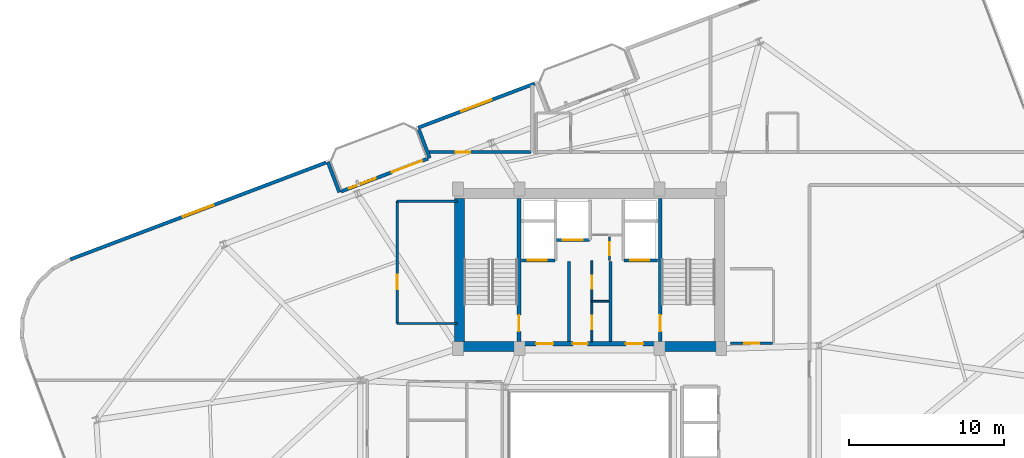
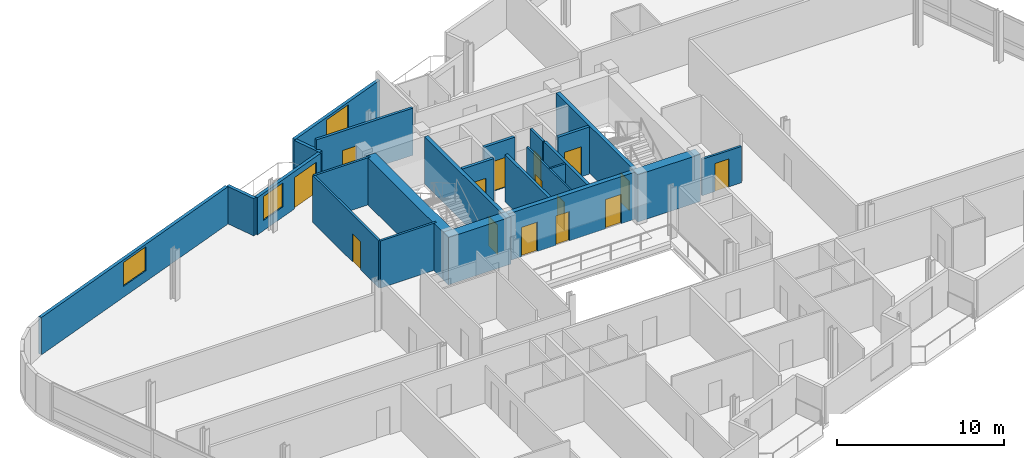
# One storey, part 16 of 20: 24 walls, 15 doors, 3 windows, 18 openings.
"""IFC4 building model written with IfcOpenShell, lengths in metres."""

from ifc_helpers import new_model, si_unit, direction, frame, frame_2d, origin, place, context, subcontext, project, spatial, rectangle, extrude, material, layer, layer_set, type_object, element, fill, save


model = new_model("IFC4")

# Units and contexts
model_context = context("Model", 3, precision=1e-05, world=origin(), true_north=direction((0.0, 1.0)))
body_context = subcontext(model_context, "Body", "Model", "MODEL_VIEW")
ifc_project = project(units=[si_unit("LENGTHUNIT", "METRE"), si_unit("AREAUNIT", "SQUARE_METRE"), si_unit("VOLUMEUNIT", "CUBIC_METRE"), si_unit("PLANEANGLEUNIT", "RADIAN"), si_unit("MASSUNIT", "GRAM", prefix="KILO")], contexts=[model_context])

# Site, building, storey
site_placement = place(None, origin())
site = spatial("IfcSite", under=ifc_project, at=site_placement, CompositionType="ELEMENT")
building_placement = place(site_placement, origin())
building = spatial("IfcBuilding", under=site, at=building_placement, Name="Varnelok Gate Tower", CompositionType="ELEMENT")
storey_placement = place(building_placement, frame((0.0, 0.0, 216.39990234375)))
storey = spatial("IfcBuildingStorey", under=building, at=storey_placement, Name="L55", CompositionType="ELEMENT", Elevation=216.39990234375)

# Wall, openings, door, window
ifc_material_1 = material(Name="Concrete C45/55", Category="concrete")
ifc_layer_1 = layer(ifc_material_1, 0.219970703125)
ifc_layer_set_1 = layer_set([ifc_layer_1], Name="Concrete C45/55")
wall_type_1 = type_object("IfcWallType", Name="EW-BALC-220", PredefinedType="SOLIDWALL", material=ifc_layer_set_1)
wall_1_placement = place(storey_placement, frame((23.1494140625, 38.88720703125, 0.0), z_axis=(0.0, 0.0, 1.0), x_axis=(0.9352192676, 0.354069091436, 0.0)))
wall_1 = element("IfcWall", 1, at=wall_1_placement, inside=storey, type_object=wall_type_1, Name="L55 North Terrace Envelope Wall 3", PredefinedType="SOLIDWALL", context=body_context, shape_type="SweptSolid", body=[
    extrude(rectangle(XDim=6.000244140625, YDim=0.219970703125, at=frame_2d((3.0, 0.0))), origin(), (0.0, 0.0, 1.0), 2.72998046875),
])
opening_1_placement = place(wall_1_placement, frame((3.5, 0.0, 0.0)))
opening_1 = element("IfcOpeningElement", 2, at=opening_1_placement, cuts=wall_1, Name="Opening BD-2", PredefinedType="OPENING", context=body_context, shape_type="SweptSolid", body=[
    extrude(rectangle(XDim=2.10009765625, YDim=2.300048828125, at=frame_2d((1.050048828125, 1.14990234375))), frame((0.0, 0.119873046875, 0.0), z_axis=(0.0, -1.0, 0.0), x_axis=(1.0, 0.0, 0.0)), (0.0, 0.0, 1.0), 0.239990234375),
])
opening_2_placement = place(wall_1_placement, frame((0.550048828125, 0.0, 0.75)))
opening_2 = element("IfcOpeningElement", 3, at=opening_2_placement, cuts=wall_1, Name="Opening WN5", PredefinedType="OPENING", context=body_context, shape_type="SweptSolid", body=[
    extrude(rectangle(XDim=1.85009765625, YDim=1.75, at=frame_2d((0.925048828125, 0.875))), frame((0.0, 0.119873046875, 0.0), z_axis=(0.0, -1.0, 0.0), x_axis=(1.0, 0.0, 0.0)), (0.0, 0.0, 1.0), 0.239990234375),
])
ifc_material_2 = material(Name="Anodized Aluminum Alloy 6063-T6", Category="aluminium")
door_type_1 = type_object("IfcDoorType", Name="DR-EXT-SLID2100", OperationType="SLIDING_TO_LEFT", PredefinedType="DOOR", material=ifc_material_2)
door_1_placement = place(opening_1_placement, origin())
door_1 = element("IfcDoor", 4, at=door_1_placement, inside=storey, type_object=door_type_1, Name="L55 North Balcony Glazed Door 3", OperationType="SLIDING_TO_LEFT", OverallHeight=2.300048828125, OverallWidth=2.10009765625, PredefinedType="DOOR", context=body_context, shape_type="SweptSolid", body=[
    extrude(rectangle(XDim=2.10009765625, YDim=2.300048828125, at=frame_2d((1.050048828125, 1.14990234375))), frame((0.0, 0.02490234375, 0.0), z_axis=(0.0, -1.0, 0.0), x_axis=(1.0, 0.0, 0.0)), (0.0, 0.0, 1.0), 0.050048828125),
])
fill(opening_1, door_1)
ifc_material_3 = material(Name="Low-E Laminated Double Glazing IGU", Category="glass")
window_type_1 = type_object("IfcWindowType", Name="WN-RES-1850", PartitioningType="SINGLE_PANEL", PredefinedType="WINDOW", material=ifc_material_3)
window_1_placement = place(opening_2_placement, origin())
window_1 = element("IfcWindow", 5, at=window_1_placement, inside=storey, type_object=window_type_1, Name="L55 North Vision Window 3.1", OverallHeight=1.75, OverallWidth=1.85009765625, PartitioningType="SINGLE_PANEL", PredefinedType="WINDOW", context=body_context, shape_type="SweptSolid", body=[
    extrude(rectangle(XDim=1.85009765625, YDim=1.75, at=frame_2d((0.925048828125, 0.875))), frame((0.0, 0.030029296875, 0.0), z_axis=(0.0, -1.0, 0.0), x_axis=(1.0, 0.0, 0.0)), (0.0, 0.0, 1.0), 0.06005859375),
])
fill(opening_2, window_1)

# Wall, opening, window
wall_2_placement = place(storey_placement, frame((35.647705078125, 45.853515625, 0.0), z_axis=(0.0, 0.0, 1.0), x_axis=(-0.935230796934, -0.354038636968, 0.0)))
wall_2 = element("IfcWall", 6, at=wall_2_placement, inside=storey, type_object=wall_type_1, Name="L55 Perimeter Facade Closure Wall 29", PredefinedType="SOLIDWALL", context=body_context, shape_type="SweptSolid", body=[
    extrude(rectangle(XDim=8.03515625, YDim=0.219970703125, at=frame_2d((4.017578125, 0.0))), origin(), (0.0, 0.0, 1.0), 2.72998046875),
])
opening_3_placement = place(wall_2_placement, frame((2.967529296875, 0.0, 0.800048828125)))
opening_3 = element("IfcOpeningElement", 7, at=opening_3_placement, cuts=wall_2, Name="Opening WN4", PredefinedType="OPENING", context=body_context, shape_type="SweptSolid", body=[
    extrude(rectangle(XDim=2.10009765625, YDim=1.75, at=frame_2d((1.050048828125, 0.875))), frame((0.0, 0.119873046875, 0.0), z_axis=(0.0, -1.0, 0.0), x_axis=(1.0, 0.0, 0.0)), (0.0, 0.0, 1.0), 0.239990234375),
])
window_type_2 = type_object("IfcWindowType", Name="WN-SUI-2100", PartitioningType="SINGLE_PANEL", PredefinedType="WINDOW", material=ifc_material_3)
window_2_placement = place(opening_3_placement, origin())
window_2 = element("IfcWindow", 8, at=window_2_placement, inside=storey, type_object=window_type_2, Name="L55 Perimeter Vision Window 29", OverallHeight=1.75, OverallWidth=2.10009765625, PartitioningType="SINGLE_PANEL", PredefinedType="WINDOW", context=body_context, shape_type="SweptSolid", body=[
    extrude(rectangle(XDim=2.10009765625, YDim=1.75, at=frame_2d((1.050048828125, 0.875))), frame((0.0, 0.030029296875, 0.0), z_axis=(0.0, -1.0, 0.0), x_axis=(1.0, 0.0, 0.0)), (0.0, 0.0, 1.0), 0.06005859375),
])
fill(opening_3, window_2)

# Walls
wall_3_placement = place(storey_placement, frame((28.177490234375, 42.891845703125, 0.0), z_axis=(0.0, 0.0, 1.0), x_axis=(0.354061611705, -0.935222099352, 0.0)))
element("IfcWall", 9, at=wall_3_placement, inside=storey, type_object=wall_type_1, Name="L55 Perimeter Facade Closure Wall 30", PredefinedType="SOLIDWALL", context=body_context, shape_type="SweptSolid", body=[
    extrude(rectangle(XDim=1.974853515625, YDim=0.219970703125, at=frame_2d((0.9873046875, 0.0))), origin(), (0.0, 0.0, 1.0), 2.72998046875),
])
wall_4_placement = place(storey_placement, frame((23.041015625, 38.83544921875, 0.0), z_axis=(0.0, 0.0, 1.0), x_axis=(-0.354128469405, 0.935196785258, 0.0)))
element("IfcWall", 10, at=wall_4_placement, inside=storey, type_object=wall_type_1, Name="L55 Perimeter Facade Closure Wall 31", PredefinedType="SOLIDWALL", context=body_context, shape_type="SweptSolid", body=[
    extrude(rectangle(XDim=2.099853515625, YDim=0.219970703125, at=frame_2d((1.0498046875, 0.0))), origin(), (0.0, 0.0, 1.0), 2.72998046875),
])

# Wall, opening, window
wall_5_placement = place(storey_placement, frame((22.180419921875, 40.755126953125, 0.0), z_axis=(0.0, 0.0, 1.0), x_axis=(-0.935223867561, -0.354056941104, 0.0)))
wall_5 = element("IfcWall", 11, at=wall_5_placement, inside=storey, type_object=wall_type_1, Name="L55 Perimeter Facade Closure Wall 32", PredefinedType="SOLIDWALL", context=body_context, shape_type="SweptSolid", body=[
    extrude(rectangle(XDim=17.64697265625, YDim=0.219970703125, at=frame_2d((8.823486328125, 0.0))), origin(), (0.0, 0.0, 1.0), 2.72998046875),
])
opening_4_placement = place(wall_5_placement, frame((7.773681640625, 0.0, 0.800048828125)))
opening_4 = element("IfcOpeningElement", 12, at=opening_4_placement, cuts=wall_5, Name="Opening WN4", PredefinedType="OPENING", context=body_context, shape_type="SweptSolid", body=[
    extrude(rectangle(XDim=2.10009765625, YDim=1.75, at=frame_2d((1.050048828125, 0.875))), frame((0.0, 0.119873046875, 0.0), z_axis=(0.0, -1.0, 0.0), x_axis=(1.0, 0.0, 0.0)), (0.0, 0.0, 1.0), 0.239990234375),
])
window_3_placement = place(opening_4_placement, origin())
window_3 = element("IfcWindow", 13, at=window_3_placement, inside=storey, type_object=window_type_2, Name="L55 Perimeter Vision Window 32", OverallHeight=1.75, OverallWidth=2.10009765625, PartitioningType="SINGLE_PANEL", PredefinedType="WINDOW", context=body_context, shape_type="SweptSolid", body=[
    extrude(rectangle(XDim=2.10009765625, YDim=1.75, at=frame_2d((1.050048828125, 0.875))), frame((0.0, 0.030029296875, 0.0), z_axis=(0.0, -1.0, 0.0), x_axis=(1.0, 0.0, 0.0)), (0.0, 0.0, 1.0), 0.06005859375),
])
fill(opening_4, window_3)

# Wall, opening, door
ifc_material_4 = material(Name="Gypsum Plasterboard Acoustic Partition", Category="gypsum")
ifc_layer_2 = layer(ifc_material_4, 0.179931640625)
ifc_layer_set_2 = layer_set([ifc_layer_2], Name="Gypsum Plasterboard Acoustic Partition")
wall_type_2 = type_object("IfcWallType", Name="PW-CORR-180", PredefinedType="PARTITIONING", material=ifc_layer_set_2)
wall_6_placement = place(storey_placement, frame((28.752197265625, 41.429931640625, 0.0), z_axis=(0.0, 0.0, 1.0), x_axis=(1.0, 0.0, 0.0)))
wall_6 = element("IfcWall", 14, at=wall_6_placement, inside=storey, type_object=wall_type_2, Name="Interior Partition", PredefinedType="PARTITIONING", context=body_context, shape_type="SweptSolid", body=[
    extrude(rectangle(XDim=6.667724609375, YDim=0.179931640625, at=frame_2d((3.333984375, 0.0))), origin(), (0.0, 0.0, 1.0), 3.4501953125),
])
opening_5_placement = place(wall_6_placement, frame((1.80322265625, 0.0, 0.0)))
opening_5 = element("IfcOpeningElement", 15, at=opening_5_placement, cuts=wall_6, Name="Opening D-I2", PredefinedType="OPENING", context=body_context, shape_type="SweptSolid", body=[
    extrude(rectangle(XDim=0.949951171875, YDim=2.050048828125, at=frame_2d((0.47509765625, 1.02490234375))), frame((0.0, 0.099853515625, 0.0), z_axis=(0.0, -1.0, 0.0), x_axis=(1.0, 0.0, 0.0)), (0.0, 0.0, 1.0), 0.199951171875),
])
ifc_material_5 = material(Name="Engineered Hardwood Timber", Category="wood")
door_type_2 = type_object("IfcDoorType", Name="DR-INT-950", OperationType="NOTDEFINED", PredefinedType="DOOR", material=ifc_material_5)
door_2_placement = place(opening_5_placement, origin())
door_2 = element("IfcDoor", 16, at=door_2_placement, inside=storey, type_object=door_type_2, Name="L55 Sky Library Door", OperationType="SINGLE_SWING_LEFT", OverallHeight=2.050048828125, OverallWidth=0.949951171875, PredefinedType="DOOR", context=body_context, shape_type="SweptSolid", body=[
    extrude(rectangle(XDim=0.949951171875, YDim=2.050048828125, at=frame_2d((0.47509765625, 1.02490234375))), frame((0.0, 0.02490234375, 0.0), z_axis=(0.0, -1.0, 0.0), x_axis=(1.0, 0.0, 0.0)), (0.0, 0.0, 1.0), 0.050048828125),
])
fill(opening_5, door_2)

# Wall
ifc_layer_3 = layer(ifc_material_4, 0.125)
ifc_layer_set_3 = layer_set([ifc_layer_3], Name="Gypsum Plasterboard Acoustic Partition")
wall_type_3 = type_object("IfcWallType", Name="PW-PART-125", PredefinedType="PARTITIONING", material=ifc_layer_set_3)
wall_7_placement = place(storey_placement, frame((39.35009765625, 31.800048828125, 0.0), z_axis=(0.0, 0.0, 1.0), x_axis=(1.0, 0.0, 0.0)))
element("IfcWall", 17, at=wall_7_placement, inside=storey, type_object=wall_type_3, Name="Interior Partition", PredefinedType="PARTITIONING", context=body_context, shape_type="SweptSolid", body=[
    extrude(rectangle(XDim=1.08984375, YDim=0.125, at=frame_2d((0.544921875, 0.0))), origin(), (0.0, 0.0, 1.0), 3.4501953125),
])

# Wall, openings, doors
wall_8_placement = place(storey_placement, frame((39.35009765625, 29.199951171875, 0.0), z_axis=(0.0, 0.0, 1.0), x_axis=(0.0, 1.0, 0.0)))
wall_8 = element("IfcWall", 18, at=wall_8_placement, inside=storey, type_object=wall_type_3, Name="Interior Partition", PredefinedType="PARTITIONING", context=body_context, shape_type="SweptSolid", body=[
    extrude(rectangle(XDim=5.219970703125, YDim=0.125, at=frame_2d((2.60986328125, 0.0))), origin(), (0.0, 0.0, 1.0), 3.4501953125),
])
opening_6_placement = place(wall_8_placement, frame((0.800048828125, 0.0, 0.0)))
opening_6 = element("IfcOpeningElement", 19, at=opening_6_placement, cuts=wall_8, Name="Opening D-RS", PredefinedType="OPENING", context=body_context, shape_type="SweptSolid", body=[
    extrude(rectangle(XDim=0.85009765625, YDim=2.050048828125, at=frame_2d((0.425048828125, 1.02490234375))), frame((0.0, 0.072509765625, 0.0), z_axis=(0.0, -1.0, 0.0), x_axis=(1.0, 0.0, 0.0)), (0.0, 0.0, 1.0), 0.14501953125),
])
opening_7_placement = place(wall_8_placement, frame((3.39990234375, 0.0, 0.0)))
opening_7 = element("IfcOpeningElement", 20, at=opening_7_placement, cuts=wall_8, Name="Opening D-RS", PredefinedType="OPENING", context=body_context, shape_type="SweptSolid", body=[
    extrude(rectangle(XDim=0.85009765625, YDim=2.050048828125, at=frame_2d((0.425048828125, 1.02490234375))), frame((0.0, 0.072509765625, 0.0), z_axis=(0.0, -1.0, 0.0), x_axis=(1.0, 0.0, 0.0)), (0.0, 0.0, 1.0), 0.14501953125),
])
ifc_material_6 = material(Name="Galvanized Steel Grade S350GD", Category="steel")
door_type_3 = type_object("IfcDoorType", Name="DR-RISER-850", OperationType="NOTDEFINED", PredefinedType="DOOR", material=ifc_material_6)
door_3_placement = place(opening_6_placement, origin())
door_3 = element("IfcDoor", 21, at=door_3_placement, inside=storey, type_object=door_type_3, Name="L55 Housekeeping Linen Door", OperationType="SINGLE_SWING_RIGHT", OverallHeight=2.050048828125, OverallWidth=0.85009765625, PredefinedType="DOOR", context=body_context, shape_type="SweptSolid", body=[
    extrude(rectangle(XDim=0.85009765625, YDim=2.050048828125, at=frame_2d((0.425048828125, 1.02490234375))), frame((0.0, 0.02490234375, 0.0), z_axis=(0.0, -1.0, 0.0), x_axis=(1.0, 0.0, 0.0)), (0.0, 0.0, 1.0), 0.050048828125),
])
fill(opening_6, door_3)
door_4_placement = place(opening_7_placement, origin())
door_4 = element("IfcDoor", 22, at=door_4_placement, inside=storey, type_object=door_type_3, Name="L55 Core Supply Door", OperationType="SINGLE_SWING_LEFT", OverallHeight=2.050048828125, OverallWidth=0.85009765625, PredefinedType="DOOR", context=body_context, shape_type="SweptSolid", body=[
    extrude(rectangle(XDim=0.85009765625, YDim=2.050048828125, at=frame_2d((0.425048828125, 1.02490234375))), frame((0.0, 0.02490234375, 0.0), z_axis=(0.0, -1.0, 0.0), x_axis=(1.0, 0.0, 0.0)), (0.0, 0.0, 1.0), 0.050048828125),
])
fill(opening_7, door_4)

# Wall, opening, door
ifc_layer_4 = layer(ifc_material_4, 0.14990234375)
ifc_layer_set_4 = layer_set([ifc_layer_4], Name="Gypsum Plasterboard Acoustic Partition")
wall_type_4 = type_object("IfcWallType", Name="PW-PART-150", PredefinedType="PARTITIONING", material=ifc_layer_set_4)
wall_9_placement = place(storey_placement, frame((40.47998046875, 34.43994140625, 0.0), z_axis=(0.0, 0.0, 1.0), x_axis=(0.0, 1.0, 0.0)))
wall_9 = element("IfcWall", 23, at=wall_9_placement, inside=storey, type_object=wall_type_4, Name="L55 Telecoms Closet West Wall", PredefinedType="PARTITIONING", context=body_context, shape_type="SweptSolid", body=[
    extrude(rectangle(XDim=1.52001953125, YDim=0.14990234375, at=frame_2d((0.760009765625, 0.0))), origin(), (0.0, 0.0, 1.0), 3.4501953125),
])
opening_8_placement = place(wall_9_placement, frame((0.320068359375, 0.0, 0.0)))
opening_8 = element("IfcOpeningElement", 24, at=opening_8_placement, cuts=wall_9, Name="Opening D-RS", PredefinedType="OPENING", context=body_context, shape_type="SweptSolid", body=[
    extrude(rectangle(XDim=0.85009765625, YDim=2.050048828125, at=frame_2d((0.425048828125, 1.02490234375))), frame((0.0, 0.0849609375, 0.0), z_axis=(0.0, -1.0, 0.0), x_axis=(1.0, 0.0, 0.0)), (0.0, 0.0, 1.0), 0.169921875),
])
door_5_placement = place(opening_8_placement, origin())
door_5 = element("IfcDoor", 25, at=door_5_placement, inside=storey, type_object=door_type_3, Name="L55 Telecoms Closet Door", OperationType="SINGLE_SWING_LEFT", OverallHeight=2.050048828125, OverallWidth=0.85009765625, PredefinedType="DOOR", context=body_context, shape_type="SweptSolid", body=[
    extrude(rectangle(XDim=0.85009765625, YDim=2.050048828125, at=frame_2d((0.425048828125, 1.02490234375))), frame((0.0, 0.02490234375, 0.0), z_axis=(0.0, -1.0, 0.0), x_axis=(1.0, 0.0, 0.0)), (0.0, 0.0, 1.0), 0.050048828125),
])
fill(opening_8, door_5)

# Walls
for number, where, z_axis, x_axis, name in (
    (26, (26.780029296875, 30.360107421875, 0.0), (0.0, 0.0, 1.0), (1.0, 0.0, 0.0), "Interior Partition"),
    (27, (26.780029296875, 38.260009765625, 0.0), (0.0, 0.0, 1.0), (1.0, 0.0, 0.0), "Interior Partition"),
):
    element("IfcWall", number, at=place(storey_placement, frame(where, z_axis=z_axis, x_axis=x_axis)), inside=storey, type_object=wall_type_4, Name=name, PredefinedType="PARTITIONING", context=body_context, shape_type="SweptSolid", body=[
        extrude(rectangle(XDim=3.89990234375, YDim=0.14990234375, at=frame_2d((1.949951171875, 0.0))), origin(), (0.0, 0.0, 1.0), 3.4501953125),
    ])

# Wall, opening, door
wall_10_placement = place(storey_placement, frame((26.780029296875, 30.360107421875, 0.0), z_axis=(0.0, 0.0, 1.0), x_axis=(0.0, 1.0, 0.0)))
wall_10 = element("IfcWall", 28, at=wall_10_placement, inside=storey, type_object=wall_type_4, Name="Interior Partition", PredefinedType="PARTITIONING", context=body_context, shape_type="SweptSolid", body=[
    extrude(rectangle(XDim=7.89990234375, YDim=0.14990234375, at=frame_2d((3.949951171875, 0.0))), origin(), (0.0, 0.0, 1.0), 3.4501953125),
])
opening_9_placement = place(wall_10_placement, frame((2.199951171875, 0.0, 0.0)))
opening_9 = element("IfcOpeningElement", 29, at=opening_9_placement, cuts=wall_10, Name="Opening D-I2", PredefinedType="OPENING", context=body_context, shape_type="SweptSolid", body=[
    extrude(rectangle(XDim=0.949951171875, YDim=2.050048828125, at=frame_2d((0.47509765625, 1.02490234375))), frame((0.0, 0.0849609375, 0.0), z_axis=(0.0, -1.0, 0.0), x_axis=(1.0, 0.0, 0.0)), (0.0, 0.0, 1.0), 0.169921875),
])
door_6_placement = place(opening_9_placement, origin())
door_6 = element("IfcDoor", 30, at=door_6_placement, inside=storey, type_object=door_type_2, Name="L55 Core Valet Door", OperationType="SINGLE_SWING_RIGHT", OverallHeight=2.050048828125, OverallWidth=0.949951171875, PredefinedType="DOOR", context=body_context, shape_type="SweptSolid", body=[
    extrude(rectangle(XDim=0.949951171875, YDim=2.050048828125, at=frame_2d((0.47509765625, 1.02490234375))), frame((0.0, 0.02490234375, 0.0), z_axis=(0.0, -1.0, 0.0), x_axis=(1.0, 0.0, 0.0)), (0.0, 0.0, 1.0), 0.050048828125),
])
fill(opening_9, door_6)

wall_11_placement = place(storey_placement, frame((48.300048828125, 29.080078125, 0.0), z_axis=(0.0, 0.0, 1.0), x_axis=(1.0, 0.0, 0.0)))
wall_11 = element("IfcWall", 31, at=wall_11_placement, inside=storey, type_object=wall_type_4, Name="Interior Partition", PredefinedType="PARTITIONING", context=body_context, shape_type="SweptSolid", body=[
    extrude(rectangle(XDim=2.719970703125, YDim=0.14990234375, at=frame_2d((1.35986328125, 0.0))), origin(), (0.0, 0.0, 1.0), 2.662109375),
])
opening_10_placement = place(wall_11_placement, frame((0.89990234375, 0.0, 0.0)))
opening_10 = element("IfcOpeningElement", 32, at=opening_10_placement, cuts=wall_11, Name="Opening D-I2", PredefinedType="OPENING", context=body_context, shape_type="SweptSolid", body=[
    extrude(rectangle(XDim=0.949951171875, YDim=2.050048828125, at=frame_2d((0.47509765625, 1.02490234375))), frame((0.0, 0.0849609375, 0.0), z_axis=(0.0, -1.0, 0.0), x_axis=(1.0, 0.0, 0.0)), (0.0, 0.0, 1.0), 0.169921875),
])
door_7_placement = place(opening_10_placement, origin())
door_7 = element("IfcDoor", 33, at=door_7_placement, inside=storey, type_object=door_type_2, Name="L55 Reclaimed Trunk Store Door", OperationType="SINGLE_SWING_LEFT", OverallHeight=2.050048828125, OverallWidth=0.949951171875, PredefinedType="DOOR", context=body_context, shape_type="SweptSolid", body=[
    extrude(rectangle(XDim=0.949951171875, YDim=2.050048828125, at=frame_2d((0.47509765625, 1.02490234375))), frame((0.0, 0.02490234375, 0.0), z_axis=(0.0, -1.0, 0.0), x_axis=(1.0, 0.0, 0.0)), (0.0, 0.0, 1.0), 0.050048828125),
])
fill(opening_10, door_7)

# Walls
ifc_material_7 = material(Name="Concrete C35/45", Category="concrete")
ifc_layer_5 = layer(ifc_material_7, 0.199951171875)
ifc_layer_set_5 = layer_set([ifc_layer_5], Name="Concrete C35/45")
wall_type_5 = type_object("IfcWallType", Name="PW-SHAFT-200", PredefinedType="PARTITIONING", material=ifc_layer_set_5)
for number, where, z_axis, x_axis, name in (
    (34, (37.860107421875, 29.199951171875, 0.0), (0.0, 0.0, 1.0), (0.0, 1.0, 0.0), "L55 West FF Lobby Rated Wall"),
    (35, (40.5400390625, 29.199951171875, 0.0), (0.0, 0.0, 1.0), (0.0, 1.0, 0.0), "L55 East FF Lobby Rated Wall"),
):
    element("IfcWall", number, at=place(storey_placement, frame(where, z_axis=z_axis, x_axis=x_axis)), inside=storey, type_object=wall_type_5, Name=name, PredefinedType="PARTITIONING", context=body_context, shape_type="SweptSolid", body=[
        extrude(rectangle(XDim=5.179931640625, YDim=0.199951171875, at=frame_2d((2.58984375, 0.0))), origin(), (0.0, 0.0, 1.0), 3.4501953125),
    ])

# Wall, opening, door
wall_12_placement = place(storey_placement, frame((34.800048828125, 34.43994140625, 0.0), z_axis=(0.0, 0.0, 1.0), x_axis=(1.0, 0.0, 0.0)))
wall_12 = element("IfcWall", 36, at=wall_12_placement, inside=storey, type_object=wall_type_5, Name="L55 FF1 Shaft Front Wall", PredefinedType="PARTITIONING", context=body_context, shape_type="SweptSolid", body=[
    extrude(rectangle(XDim=2.179931640625, YDim=0.199951171875, at=frame_2d((1.08984375, 0.0))), origin(), (0.0, 0.0, 1.0), 3.4501953125),
])
opening_11_placement = place(wall_12_placement, frame((0.419921875, 0.0, 0.0)))
opening_11 = element("IfcOpeningElement", 37, at=opening_11_placement, cuts=wall_12, Name="Opening LD-FF1", PredefinedType="OPENING", context=body_context, shape_type="SweptSolid", body=[
    extrude(rectangle(XDim=1.199951171875, YDim=2.199951171875, at=frame_2d((0.60009765625, 1.10009765625))), frame((0.0, 0.10986328125, 0.0), z_axis=(0.0, -1.0, 0.0), x_axis=(1.0, 0.0, 0.0)), (0.0, 0.0, 1.0), 0.219970703125),
])
door_type_4 = type_object("IfcDoorType", Name="DR-LIFT-FF1200", OperationType="SLIDING_TO_LEFT", PredefinedType="DOOR", material=ifc_material_6)
door_8_placement = place(opening_11_placement, origin())
door_8 = element("IfcDoor", 38, at=door_8_placement, inside=storey, type_object=door_type_4, Name="L55 Firefighting Lift Landing Door LD-FF1", OperationType="SLIDING_TO_LEFT", OverallHeight=2.199951171875, OverallWidth=1.199951171875, PredefinedType="DOOR", context=body_context, shape_type="SweptSolid", body=[
    extrude(rectangle(XDim=1.199951171875, YDim=2.199951171875, at=frame_2d((0.60009765625, 1.10009765625))), frame((0.0, 0.02490234375, 0.0), z_axis=(0.0, -1.0, 0.0), x_axis=(1.0, 0.0, 0.0)), (0.0, 0.0, 1.0), 0.050048828125),
])
fill(opening_11, door_8)

wall_13_placement = place(storey_placement, frame((41.419921875, 34.43994140625, 0.0), z_axis=(0.0, 0.0, 1.0), x_axis=(1.0, 0.0, 0.0)))
wall_13 = element("IfcWall", 39, at=wall_13_placement, inside=storey, type_object=wall_type_5, Name="L55 FF2 Shaft Front Wall", PredefinedType="PARTITIONING", context=body_context, shape_type="SweptSolid", body=[
    extrude(rectangle(XDim=2.18017578125, YDim=0.199951171875, at=frame_2d((1.090087890625, 0.0))), origin(), (0.0, 0.0, 1.0), 3.4501953125),
])
opening_12_placement = place(wall_13_placement, frame((0.419921875, 0.0, 0.0)))
opening_12 = element("IfcOpeningElement", 40, at=opening_12_placement, cuts=wall_13, Name="Opening LD-FF2", PredefinedType="OPENING", context=body_context, shape_type="SweptSolid", body=[
    extrude(rectangle(XDim=1.199951171875, YDim=2.199951171875, at=frame_2d((0.60009765625, 1.10009765625))), frame((0.0, 0.10986328125, 0.0), z_axis=(0.0, -1.0, 0.0), x_axis=(1.0, 0.0, 0.0)), (0.0, 0.0, 1.0), 0.219970703125),
])
door_9_placement = place(opening_12_placement, origin())
door_9 = element("IfcDoor", 41, at=door_9_placement, inside=storey, type_object=door_type_4, Name="L55 Firefighting Lift Landing Door LD-FF2", OperationType="SLIDING_TO_LEFT", OverallHeight=2.199951171875, OverallWidth=1.199951171875, PredefinedType="DOOR", context=body_context, shape_type="SweptSolid", body=[
    extrude(rectangle(XDim=1.199951171875, YDim=2.199951171875, at=frame_2d((0.60009765625, 1.10009765625))), frame((0.0, 0.02490234375, 0.0), z_axis=(0.0, -1.0, 0.0), x_axis=(1.0, 0.0, 0.0)), (0.0, 0.0, 1.0), 0.050048828125),
])
fill(opening_12, door_9)

wall_14_placement = place(storey_placement, frame((37.06005859375, 35.75, 0.0), z_axis=(0.0, 0.0, 1.0), x_axis=(1.0, 0.0, 0.0)))
wall_14 = element("IfcWall", 42, at=wall_14_placement, inside=storey, type_object=wall_type_5, Name="L55 SV1 Shaft Front Wall", PredefinedType="PARTITIONING", context=body_context, shape_type="SweptSolid", body=[
    extrude(rectangle(XDim=2.119873046875, YDim=0.199951171875, at=frame_2d((1.06005859375, 0.0))), origin(), (0.0, 0.0, 1.0), 3.4501953125),
])
opening_13_placement = place(wall_14_placement, frame((0.39990234375, 0.0, 0.0)))
opening_13 = element("IfcOpeningElement", 43, at=opening_13_placement, cuts=wall_14, Name="Opening LD-SV1", PredefinedType="OPENING", context=body_context, shape_type="SweptSolid", body=[
    extrude(rectangle(XDim=1.300048828125, YDim=2.199951171875, at=frame_2d((0.64990234375, 1.10009765625))), frame((0.0, 0.10986328125, 0.0), z_axis=(0.0, -1.0, 0.0), x_axis=(1.0, 0.0, 0.0)), (0.0, 0.0, 1.0), 0.219970703125),
])
door_type_5 = type_object("IfcDoorType", Name="DR-LIFT-SV1300", OperationType="SLIDING_TO_LEFT", PredefinedType="DOOR", material=ifc_material_6)
door_10_placement = place(opening_13_placement, origin())
door_10 = element("IfcDoor", 44, at=door_10_placement, inside=storey, type_object=door_type_5, Name="L55 Service Lift Landing Door LD-SV1", OperationType="SLIDING_TO_LEFT", OverallHeight=2.199951171875, OverallWidth=1.300048828125, PredefinedType="DOOR", context=body_context, shape_type="SweptSolid", body=[
    extrude(rectangle(XDim=1.300048828125, YDim=2.199951171875, at=frame_2d((0.64990234375, 1.10009765625))), frame((0.0, 0.02490234375, 0.0), z_axis=(0.0, -1.0, 0.0), x_axis=(1.0, 0.0, 0.0)), (0.0, 0.0, 1.0), 0.050048828125),
])
fill(opening_13, door_10)

# Walls
ifc_material_8 = material(Name="Concrete C60/75", Category="concrete")
ifc_layer_6 = layer(ifc_material_8, 0.64990234375)
ifc_layer_set_6 = layer_set([ifc_layer_6], Name="Concrete C60/75")
wall_type_6 = type_object("IfcWallType", Name="SW-CORE-650", PredefinedType="SHEAR", material=ifc_layer_set_6)
wall_15_placement = place(storey_placement, frame((30.804931640625, 29.199951171875, 0.0), z_axis=(0.0, 0.0, 1.0), x_axis=(0.0, 1.0, 0.0)))
element("IfcWall", 45, at=wall_15_placement, inside=storey, type_object=wall_type_6, Name="L55 Rear Core West Shear Wall", PredefinedType="SHEAR", context=body_context, shape_type="SweptSolid", body=[
    extrude(rectangle(XDim=9.219970703125, YDim=0.64990234375, at=frame_2d((4.60986328125, 0.0))), origin(), (0.0, 0.0, 1.0), 3.4501953125),
])
wall_16_placement = place(storey_placement, frame((30.47998046875, 28.875, 0.0), z_axis=(0.0, 0.0, 1.0), x_axis=(1.0, 0.0, 0.0)))
element("IfcWall", 46, at=wall_16_placement, inside=storey, type_object=wall_type_6, Name="L55 Rear Core South-West Shear Wall", PredefinedType="SHEAR", context=body_context, shape_type="SweptSolid", body=[
    extrude(rectangle(XDim=4.320068359375, YDim=0.64990234375, at=frame_2d((2.16015625, 0.0))), origin(), (0.0, 0.0, 1.0), 3.4501953125),
])
wall_17_placement = place(storey_placement, frame((43.60009765625, 28.875, 0.0), z_axis=(0.0, 0.0, 1.0), x_axis=(1.0, 0.0, 0.0)))
element("IfcWall", 47, at=wall_17_placement, inside=storey, type_object=wall_type_6, Name="L55 Rear Core South-East Shear Wall", PredefinedType="SHEAR", context=body_context, shape_type="SweptSolid", body=[
    extrude(rectangle(XDim=4.31982421875, YDim=0.64990234375, at=frame_2d((2.159912109375, 0.0))), origin(), (0.0, 0.0, 1.0), 3.4501953125),
])

# Wall, opening, door
ifc_layer_7 = layer(ifc_material_8, 0.25)
ifc_layer_set_7 = layer_set([ifc_layer_7], Name="Concrete C60/75")
wall_type_7 = type_object("IfcWallType", Name="SW-SHAFT-250", PredefinedType="SHEAR", material=ifc_layer_set_7)
wall_18_placement = place(storey_placement, frame((34.639892578125, 29.199951171875, 0.0), z_axis=(0.0, 0.0, 1.0), x_axis=(0.0, 1.0, 0.0)))
wall_18 = element("IfcWall", 48, at=wall_18_placement, inside=storey, type_object=wall_type_7, Name="L55 Stair ST-1 East Shear Wall", PredefinedType="SHEAR", context=body_context, shape_type="SweptSolid", body=[
    extrude(rectangle(XDim=9.219970703125, YDim=0.25, at=frame_2d((4.60986328125, 0.0))), origin(), (0.0, 0.0, 1.0), 3.4501953125),
])
opening_14_placement = place(wall_18_placement, frame((0.64990234375, 0.0, 0.0)))
opening_14 = element("IfcOpeningElement", 49, at=opening_14_placement, cuts=wall_18, Name="Opening D-ST", PredefinedType="OPENING", context=body_context, shape_type="SweptSolid", body=[
    extrude(rectangle(XDim=1.050048828125, YDim=2.14990234375, at=frame_2d((0.52490234375, 1.074951171875))), frame((0.0, 0.135009765625, 0.0), z_axis=(0.0, -1.0, 0.0), x_axis=(1.0, 0.0, 0.0)), (0.0, 0.0, 1.0), 0.27001953125),
])
door_type_6 = type_object("IfcDoorType", Name="DR-STAIR-1050", OperationType="NOTDEFINED", PredefinedType="DOOR", material=ifc_material_6)
door_11_placement = place(opening_14_placement, origin())
door_11 = element("IfcDoor", 50, at=door_11_placement, inside=storey, type_object=door_type_6, Name="L55 Exit Stair ST-1 Fire Door", OperationType="SINGLE_SWING_LEFT", OverallHeight=2.14990234375, OverallWidth=1.050048828125, PredefinedType="DOOR", context=body_context, shape_type="SweptSolid", body=[
    extrude(rectangle(XDim=1.050048828125, YDim=2.14990234375, at=frame_2d((0.52490234375, 1.074951171875))), frame((0.0, 0.02490234375, 0.0), z_axis=(0.0, -1.0, 0.0), x_axis=(1.0, 0.0, 0.0)), (0.0, 0.0, 1.0), 0.050048828125),
])
fill(opening_14, door_11)

wall_19_placement = place(storey_placement, frame((43.760009765625, 29.199951171875, 0.0), z_axis=(0.0, 0.0, 1.0), x_axis=(0.0, 1.0, 0.0)))
wall_19 = element("IfcWall", 51, at=wall_19_placement, inside=storey, type_object=wall_type_7, Name="L55 Stair ST-2 West Shear Wall", PredefinedType="SHEAR", context=body_context, shape_type="SweptSolid", body=[
    extrude(rectangle(XDim=9.219970703125, YDim=0.25, at=frame_2d((4.60986328125, 0.0))), origin(), (0.0, 0.0, 1.0), 3.4501953125),
])
opening_15_placement = place(wall_19_placement, frame((0.64990234375, 0.0, 0.0)))
opening_15 = element("IfcOpeningElement", 52, at=opening_15_placement, cuts=wall_19, Name="Opening D-ST", PredefinedType="OPENING", context=body_context, shape_type="SweptSolid", body=[
    extrude(rectangle(XDim=1.050048828125, YDim=2.14990234375, at=frame_2d((0.52490234375, 1.074951171875))), frame((0.0, 0.135009765625, 0.0), z_axis=(0.0, -1.0, 0.0), x_axis=(1.0, 0.0, 0.0)), (0.0, 0.0, 1.0), 0.27001953125),
])
door_12_placement = place(opening_15_placement, origin())
door_12 = element("IfcDoor", 53, at=door_12_placement, inside=storey, type_object=door_type_6, Name="L55 Exit Stair ST-2 Fire Door", OperationType="SINGLE_SWING_RIGHT", OverallHeight=2.14990234375, OverallWidth=1.050048828125, PredefinedType="DOOR", context=body_context, shape_type="SweptSolid", body=[
    extrude(rectangle(XDim=1.050048828125, YDim=2.14990234375, at=frame_2d((0.52490234375, 1.074951171875))), frame((0.0, 0.02490234375, 0.0), z_axis=(0.0, -1.0, 0.0), x_axis=(1.0, 0.0, 0.0)), (0.0, 0.0, 1.0), 0.050048828125),
])
fill(opening_15, door_12)

# Wall, openings, doors
ifc_layer_8 = layer(ifc_material_8, 0.300048828125)
ifc_layer_set_8 = layer_set([ifc_layer_8], Name="Concrete C60/75")
wall_type_8 = type_object("IfcWallType", Name="SW-SHAFT-300", PredefinedType="SHEAR", material=ifc_layer_set_8)
wall_20_placement = place(storey_placement, frame((34.800048828125, 29.050048828125, 0.0), z_axis=(0.0, 0.0, 1.0), x_axis=(1.0, 0.0, 0.0)))
wall_20 = element("IfcWall", 54, at=wall_20_placement, inside=storey, type_object=wall_type_8, Name="L55 Rear Core Central Lobby Shear Wall", PredefinedType="SHEAR", context=body_context, shape_type="SweptSolid", body=[
    extrude(rectangle(XDim=8.800048828125, YDim=0.300048828125, at=frame_2d((4.39990234375, 0.0))), origin(), (0.0, 0.0, 1.0), 3.4501953125),
])
opening_16_placement = place(wall_20_placement, frame((0.949951171875, 0.0, 0.0)))
opening_16 = element("IfcOpeningElement", 55, at=opening_16_placement, cuts=wall_20, Name="Opening D-FF", PredefinedType="OPENING", context=body_context, shape_type="SweptSolid", body=[
    extrude(rectangle(XDim=1.10009765625, YDim=2.14990234375, at=frame_2d((0.550048828125, 1.074951171875))), frame((0.0, 0.159912109375, 0.0), z_axis=(0.0, -1.0, 0.0), x_axis=(1.0, 0.0, 0.0)), (0.0, 0.0, 1.0), 0.320068359375),
])
opening_17_placement = place(wall_20_placement, frame((6.75, 0.0, 0.0)))
opening_17 = element("IfcOpeningElement", 56, at=opening_17_placement, cuts=wall_20, Name="Opening D-FF", PredefinedType="OPENING", context=body_context, shape_type="SweptSolid", body=[
    extrude(rectangle(XDim=1.10009765625, YDim=2.14990234375, at=frame_2d((0.550048828125, 1.074951171875))), frame((0.0, 0.159912109375, 0.0), z_axis=(0.0, -1.0, 0.0), x_axis=(1.0, 0.0, 0.0)), (0.0, 0.0, 1.0), 0.320068359375),
])
opening_18_placement = place(wall_20_placement, frame((3.320068359375, 0.0, 0.0)))
opening_18 = element("IfcOpeningElement", 57, at=opening_18_placement, cuts=wall_20, Name="Opening D-CR", PredefinedType="OPENING", context=body_context, shape_type="SweptSolid", body=[
    extrude(rectangle(XDim=0.949951171875, YDim=2.14990234375, at=frame_2d((0.47509765625, 1.074951171875))), frame((0.0, 0.159912109375, 0.0), z_axis=(0.0, -1.0, 0.0), x_axis=(1.0, 0.0, 0.0)), (0.0, 0.0, 1.0), 0.320068359375),
])
door_type_7 = type_object("IfcDoorType", Name="DR-CORR-950", OperationType="NOTDEFINED", PredefinedType="DOOR", material=ifc_material_6)
door_13_placement = place(opening_18_placement, origin())
door_13 = element("IfcDoor", 58, at=door_13_placement, inside=storey, type_object=door_type_7, Name="L55 Core Service Passage Door", OperationType="SINGLE_SWING_LEFT", OverallHeight=2.14990234375, OverallWidth=0.949951171875, PredefinedType="DOOR", context=body_context, shape_type="SweptSolid", body=[
    extrude(rectangle(XDim=0.949951171875, YDim=2.14990234375, at=frame_2d((0.47509765625, 1.074951171875))), frame((0.0, 0.02490234375, 0.0), z_axis=(0.0, -1.0, 0.0), x_axis=(1.0, 0.0, 0.0)), (0.0, 0.0, 1.0), 0.050048828125),
])
fill(opening_18, door_13)
door_type_8 = type_object("IfcDoorType", Name="DR-FFLOB-1100", OperationType="NOTDEFINED", PredefinedType="DOOR", material=ifc_material_6)
door_14_placement = place(opening_16_placement, origin())
door_14 = element("IfcDoor", 59, at=door_14_placement, inside=storey, type_object=door_type_8, Name="L55 West Firefighting Lobby Fire Door", OperationType="SINGLE_SWING_RIGHT", OverallHeight=2.14990234375, OverallWidth=1.10009765625, PredefinedType="DOOR", context=body_context, shape_type="SweptSolid", body=[
    extrude(rectangle(XDim=1.10009765625, YDim=2.14990234375, at=frame_2d((0.550048828125, 1.074951171875))), frame((0.0, 0.02490234375, 0.0), z_axis=(0.0, -1.0, 0.0), x_axis=(1.0, 0.0, 0.0)), (0.0, 0.0, 1.0), 0.050048828125),
])
fill(opening_16, door_14)
door_15_placement = place(opening_17_placement, origin())
door_15 = element("IfcDoor", 60, at=door_15_placement, inside=storey, type_object=door_type_8, Name="L55 East Firefighting Lobby Fire Door", OperationType="SINGLE_SWING_LEFT", OverallHeight=2.14990234375, OverallWidth=1.10009765625, PredefinedType="DOOR", context=body_context, shape_type="SweptSolid", body=[
    extrude(rectangle(XDim=1.10009765625, YDim=2.14990234375, at=frame_2d((0.550048828125, 1.074951171875))), frame((0.0, 0.02490234375, 0.0), z_axis=(0.0, -1.0, 0.0), x_axis=(1.0, 0.0, 0.0)), (0.0, 0.0, 1.0), 0.050048828125),
])
fill(opening_17, door_15)

save(model, "model.ifc")
